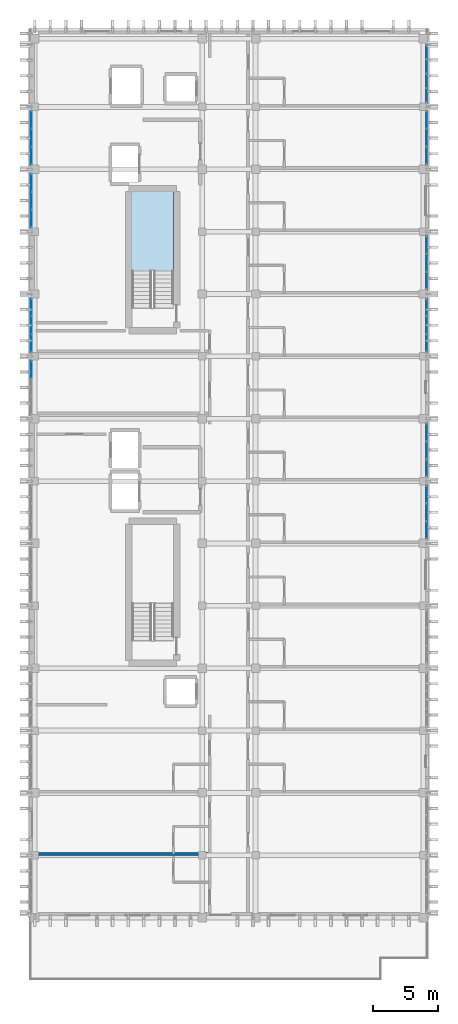
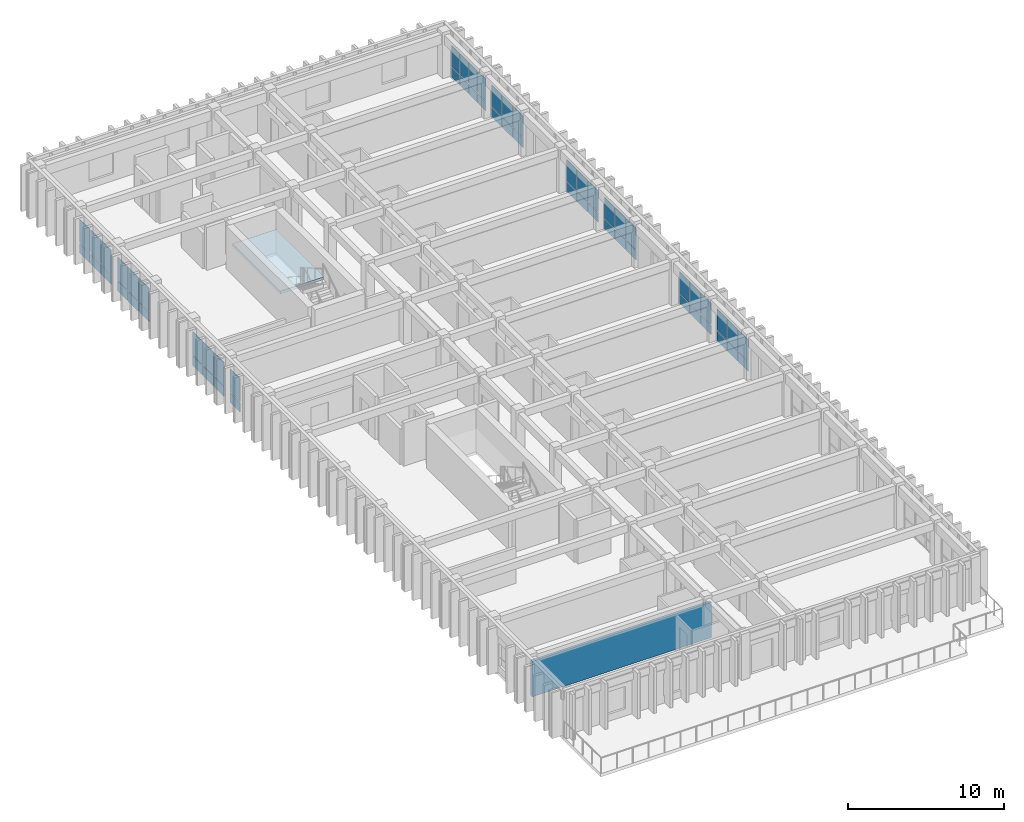
# One storey, part 39 of 49: 58 plates, 1 slab, 1 wall, 11 elements without a shape of their own.
"""IFC4 building model written with IfcOpenShell, lengths in metres."""

from ifc_helpers import new_model, si_unit, direction, frame, frame_2d, origin, origin_2d, place, context, subcontext, project, spatial, polyline, rectangle, outline, extrude, material, layer, layer_set, type_object, element, aggregate, save


model = new_model("IFC4")

# Units and contexts
model_context = context("Model", 3, precision=1e-05, world=origin(), true_north=direction((0.0, 1.0)))
body_context = subcontext(model_context, "Body", "Model", "MODEL_VIEW")
ifc_project = project(units=[si_unit("LENGTHUNIT", "METRE"), si_unit("AREAUNIT", "SQUARE_METRE"), si_unit("VOLUMEUNIT", "CUBIC_METRE"), si_unit("PLANEANGLEUNIT", "RADIAN"), si_unit("MASSUNIT", "GRAM", prefix="KILO")], contexts=[model_context])

# Site, building, storey
site_placement = place(None, origin())
site = spatial("IfcSite", under=ifc_project, at=site_placement, CompositionType="ELEMENT")
building_placement = place(site_placement, origin())
building = spatial("IfcBuilding", under=site, at=building_placement, Name="Nakhvara Creek Congress Hotel", CompositionType="ELEMENT")
storey_placement = place(building_placement, frame((0.0, 0.0, 39.0)))
storey = spatial("IfcBuildingStorey", under=building, at=storey_placement, Name="L09", CompositionType="ELEMENT", Elevation=39.0)

# Curtain wall, plates
ifc_material_1 = material(Name="Bronze-anodised aluminium AW-6063-T6 and double-silver low-E glass", Category="aluminium")
ifc_layer_1 = layer(ifc_material_1, 0.199951171875)
ifc_layer_set_1 = layer_set([ifc_layer_1], Name="Bronze-anodised aluminium AW-6063-T6 and double-silver low-E glass")
curtain_wall_type = type_object("IfcCurtainWallType", Name="CW-HTL-UNIT", PredefinedType="USERDEFINED", material=ifc_layer_set_1)
curtain_wall_1_placement = place(storey_placement, origin())
curtain_wall_1 = element("IfcCurtainWall", 1, at=curtain_wall_1_placement, inside=storey, type_object=curtain_wall_type, Name="Curtain Wall CW303", ObjectType="UNITISED", PredefinedType="USERDEFINED")
ifc_material_2 = material(Name="Double-silver solar-control low-E insulated glass", Category="glass")
plate_type_1 = type_object("IfcPlateType", Name="PNL-GLZ-120X250", PredefinedType="CURTAIN_PANEL", material=ifc_material_2)
plate_1_placement = place(storey_placement, frame((179.60009765625, 90.186279296875, 0.06494140625), z_axis=(0.0, 0.0, 1.0), x_axis=(0.0, -1.0, 0.0)))
plate_1 = element("IfcPlate", 2, at=plate_1_placement, type_object=plate_type_1, Name="CW303 panel 1.1", PredefinedType="CURTAIN_PANEL", context=body_context, shape_type="SweptSolid", body=[
    extrude(rectangle(XDim=1.28759765625, YDim=0.028076171875, at=origin_2d()), origin(), (0.0, 0.0, 1.0), 0.75244140625),
])
plate_2_placement = place(storey_placement, frame((179.60009765625, 90.186279296875, 0.88232421875), z_axis=(0.0, 0.0, 1.0), x_axis=(0.0, -1.0, 0.0)))
plate_2 = element("IfcPlate", 3, at=plate_2_placement, type_object=plate_type_1, Name="CW303 panel 1.2", PredefinedType="CURTAIN_PANEL", context=body_context, shape_type="SweptSolid", body=[
    extrude(rectangle(XDim=1.28759765625, YDim=0.028076171875, at=origin_2d()), origin(), (0.0, 0.0, 1.0), 1.654541015625),
])
plate_3_placement = place(storey_placement, frame((179.60009765625, 88.8173828125, 0.06494140625), z_axis=(0.0, 0.0, 1.0), x_axis=(0.0, -1.0, 0.0)))
plate_3 = element("IfcPlate", 4, at=plate_3_placement, type_object=plate_type_1, Name="CW303 panel 2.1", PredefinedType="CURTAIN_PANEL", context=body_context, shape_type="SweptSolid", body=[
    extrude(rectangle(XDim=1.320068359375, YDim=0.028076171875, at=origin_2d()), origin(), (0.0, 0.0, 1.0), 0.75244140625),
])
plate_4_placement = place(storey_placement, frame((179.60009765625, 88.8173828125, 0.88232421875), z_axis=(0.0, 0.0, 1.0), x_axis=(0.0, -1.0, 0.0)))
plate_4 = element("IfcPlate", 5, at=plate_4_placement, type_object=plate_type_1, Name="CW303 panel 2.2", PredefinedType="CURTAIN_PANEL", context=body_context, shape_type="SweptSolid", body=[
    extrude(rectangle(XDim=1.320068359375, YDim=0.028076171875, at=origin_2d()), origin(), (0.0, 0.0, 1.0), 1.654541015625),
])
plate_5_placement = place(storey_placement, frame((179.60009765625, 87.44873046875, 0.06494140625), z_axis=(0.0, 0.0, 1.0), x_axis=(0.0, -1.0, 0.0)))
plate_5 = element("IfcPlate", 6, at=plate_5_placement, type_object=plate_type_1, Name="CW303 panel 3.1", PredefinedType="CURTAIN_PANEL", context=body_context, shape_type="SweptSolid", body=[
    extrude(rectangle(XDim=1.28759765625, YDim=0.028076171875, at=origin_2d()), origin(), (0.0, 0.0, 1.0), 0.75244140625),
])
plate_6_placement = place(storey_placement, frame((179.60009765625, 87.44873046875, 0.88232421875), z_axis=(0.0, 0.0, 1.0), x_axis=(0.0, -1.0, 0.0)))
plate_6 = element("IfcPlate", 7, at=plate_6_placement, type_object=plate_type_1, Name="CW303 panel 3.2", PredefinedType="CURTAIN_PANEL", context=body_context, shape_type="SweptSolid", body=[
    extrude(rectangle(XDim=1.28759765625, YDim=0.028076171875, at=origin_2d()), origin(), (0.0, 0.0, 1.0), 1.654541015625),
])
aggregate(curtain_wall_1, [plate_1, plate_2, plate_3, plate_4, plate_5, plate_6])

curtain_wall_2_placement = place(storey_placement, origin())
curtain_wall_2 = element("IfcCurtainWall", 8, at=curtain_wall_2_placement, inside=storey, type_object=curtain_wall_type, Name="Curtain Wall CW305", ObjectType="UNITISED", PredefinedType="USERDEFINED")
plate_7_placement = place(storey_placement, frame((179.60009765625, 94.951171875, 0.06494140625), z_axis=(0.0, 0.0, 1.0), x_axis=(0.0, -1.0, 0.0)))
plate_7 = element("IfcPlate", 9, at=plate_7_placement, type_object=plate_type_1, Name="CW305 panel 1.1", PredefinedType="CURTAIN_PANEL", context=body_context, shape_type="SweptSolid", body=[
    extrude(rectangle(XDim=1.28759765625, YDim=0.028076171875, at=origin_2d()), origin(), (0.0, 0.0, 1.0), 0.75244140625),
])
plate_8_placement = place(storey_placement, frame((179.60009765625, 94.951171875, 0.88232421875), z_axis=(0.0, 0.0, 1.0), x_axis=(0.0, -1.0, 0.0)))
plate_8 = element("IfcPlate", 10, at=plate_8_placement, type_object=plate_type_1, Name="CW305 panel 1.2", PredefinedType="CURTAIN_PANEL", context=body_context, shape_type="SweptSolid", body=[
    extrude(rectangle(XDim=1.28759765625, YDim=0.028076171875, at=origin_2d()), origin(), (0.0, 0.0, 1.0), 1.654541015625),
])
plate_9_placement = place(storey_placement, frame((179.60009765625, 93.58251953125, 0.06494140625), z_axis=(0.0, 0.0, 1.0), x_axis=(0.0, -1.0, 0.0)))
plate_9 = element("IfcPlate", 11, at=plate_9_placement, type_object=plate_type_1, Name="CW305 panel 2.1", PredefinedType="CURTAIN_PANEL", context=body_context, shape_type="SweptSolid", body=[
    extrude(rectangle(XDim=1.320068359375, YDim=0.028076171875, at=origin_2d()), origin(), (0.0, 0.0, 1.0), 0.75244140625),
])
plate_10_placement = place(storey_placement, frame((179.60009765625, 93.58251953125, 0.88232421875), z_axis=(0.0, 0.0, 1.0), x_axis=(0.0, -1.0, 0.0)))
plate_10 = element("IfcPlate", 12, at=plate_10_placement, type_object=plate_type_1, Name="CW305 panel 2.2", PredefinedType="CURTAIN_PANEL", context=body_context, shape_type="SweptSolid", body=[
    extrude(rectangle(XDim=1.320068359375, YDim=0.028076171875, at=origin_2d()), origin(), (0.0, 0.0, 1.0), 1.654541015625),
])
plate_11_placement = place(storey_placement, frame((179.60009765625, 92.2138671875, 0.06494140625), z_axis=(0.0, 0.0, 1.0), x_axis=(0.0, -1.0, 0.0)))
plate_11 = element("IfcPlate", 13, at=plate_11_placement, type_object=plate_type_1, Name="CW305 panel 3.1", PredefinedType="CURTAIN_PANEL", context=body_context, shape_type="SweptSolid", body=[
    extrude(rectangle(XDim=1.28759765625, YDim=0.028076171875, at=origin_2d()), origin(), (0.0, 0.0, 1.0), 0.75244140625),
])
plate_12_placement = place(storey_placement, frame((179.60009765625, 92.2138671875, 0.88232421875), z_axis=(0.0, 0.0, 1.0), x_axis=(0.0, -1.0, 0.0)))
plate_12 = element("IfcPlate", 14, at=plate_12_placement, type_object=plate_type_1, Name="CW305 panel 3.2", PredefinedType="CURTAIN_PANEL", context=body_context, shape_type="SweptSolid", body=[
    extrude(rectangle(XDim=1.28759765625, YDim=0.028076171875, at=origin_2d()), origin(), (0.0, 0.0, 1.0), 1.654541015625),
])
aggregate(curtain_wall_2, [plate_7, plate_8, plate_9, plate_10, plate_11, plate_12])

curtain_wall_3_placement = place(storey_placement, origin())
curtain_wall_3 = element("IfcCurtainWall", 15, at=curtain_wall_3_placement, inside=storey, type_object=curtain_wall_type, Name="Curtain Wall CW306", ObjectType="UNITISED", PredefinedType="USERDEFINED")
plate_13_placement = place(storey_placement, frame((149.199951171875, 99.7861328125, 0.06494140625), z_axis=(0.0, 0.0, 1.0), x_axis=(0.0, 1.0, 0.0)))
plate_13 = element("IfcPlate", 16, at=plate_13_placement, type_object=plate_type_1, Name="CW306 panel 3.1", PredefinedType="CURTAIN_PANEL", context=body_context, shape_type="SweptSolid", body=[
    extrude(rectangle(XDim=1.28759765625, YDim=0.028076171875, at=origin_2d()), origin(), (0.0, 0.0, 1.0), 0.75244140625),
])
plate_14_placement = place(storey_placement, frame((149.199951171875, 99.7861328125, 0.88232421875), z_axis=(0.0, 0.0, 1.0), x_axis=(0.0, 1.0, 0.0)))
plate_14 = element("IfcPlate", 17, at=plate_14_placement, type_object=plate_type_1, Name="CW306 panel 3.2", PredefinedType="CURTAIN_PANEL", context=body_context, shape_type="SweptSolid", body=[
    extrude(rectangle(XDim=1.28759765625, YDim=0.028076171875, at=origin_2d()), origin(), (0.0, 0.0, 1.0), 1.824462890625),
])
aggregate(curtain_wall_3, [plate_13, plate_14])

curtain_wall_4_placement = place(storey_placement, origin())
curtain_wall_4 = element("IfcCurtainWall", 18, at=curtain_wall_4_placement, inside=storey, type_object=curtain_wall_type, Name="Curtain Wall CW309", ObjectType="UNITISED", PredefinedType="USERDEFINED")
plate_15_placement = place(storey_placement, frame((179.60009765625, 109.38623046875, 0.06494140625), z_axis=(0.0, 0.0, 1.0), x_axis=(0.0, -1.0, 0.0)))
plate_15 = element("IfcPlate", 19, at=plate_15_placement, type_object=plate_type_1, Name="CW309 panel 1.1", PredefinedType="CURTAIN_PANEL", context=body_context, shape_type="SweptSolid", body=[
    extrude(rectangle(XDim=1.28759765625, YDim=0.028076171875, at=origin_2d()), origin(), (0.0, 0.0, 1.0), 0.75244140625),
])
plate_16_placement = place(storey_placement, frame((179.60009765625, 109.38623046875, 0.88232421875), z_axis=(0.0, 0.0, 1.0), x_axis=(0.0, -1.0, 0.0)))
plate_16 = element("IfcPlate", 20, at=plate_16_placement, type_object=plate_type_1, Name="CW309 panel 1.2", PredefinedType="CURTAIN_PANEL", context=body_context, shape_type="SweptSolid", body=[
    extrude(rectangle(XDim=1.28759765625, YDim=0.028076171875, at=origin_2d()), origin(), (0.0, 0.0, 1.0), 1.654541015625),
])
plate_17_placement = place(storey_placement, frame((179.60009765625, 108.017578125, 0.06494140625), z_axis=(0.0, 0.0, 1.0), x_axis=(0.0, -1.0, 0.0)))
plate_17 = element("IfcPlate", 21, at=plate_17_placement, type_object=plate_type_1, Name="CW309 panel 2.1", PredefinedType="CURTAIN_PANEL", context=body_context, shape_type="SweptSolid", body=[
    extrude(rectangle(XDim=1.320068359375, YDim=0.028076171875, at=origin_2d()), origin(), (0.0, 0.0, 1.0), 0.75244140625),
])
plate_18_placement = place(storey_placement, frame((179.60009765625, 108.017578125, 0.88232421875), z_axis=(0.0, 0.0, 1.0), x_axis=(0.0, -1.0, 0.0)))
plate_18 = element("IfcPlate", 22, at=plate_18_placement, type_object=plate_type_1, Name="CW309 panel 2.2", PredefinedType="CURTAIN_PANEL", context=body_context, shape_type="SweptSolid", body=[
    extrude(rectangle(XDim=1.320068359375, YDim=0.028076171875, at=origin_2d()), origin(), (0.0, 0.0, 1.0), 1.654541015625),
])
plate_19_placement = place(storey_placement, frame((179.60009765625, 106.648681640625, 0.06494140625), z_axis=(0.0, 0.0, 1.0), x_axis=(0.0, -1.0, 0.0)))
plate_19 = element("IfcPlate", 23, at=plate_19_placement, type_object=plate_type_1, Name="CW309 panel 3.1", PredefinedType="CURTAIN_PANEL", context=body_context, shape_type="SweptSolid", body=[
    extrude(rectangle(XDim=1.28759765625, YDim=0.028076171875, at=origin_2d()), origin(), (0.0, 0.0, 1.0), 0.75244140625),
])
plate_20_placement = place(storey_placement, frame((179.60009765625, 106.648681640625, 0.88232421875), z_axis=(0.0, 0.0, 1.0), x_axis=(0.0, -1.0, 0.0)))
plate_20 = element("IfcPlate", 24, at=plate_20_placement, type_object=plate_type_1, Name="CW309 panel 3.2", PredefinedType="CURTAIN_PANEL", context=body_context, shape_type="SweptSolid", body=[
    extrude(rectangle(XDim=1.28759765625, YDim=0.028076171875, at=origin_2d()), origin(), (0.0, 0.0, 1.0), 1.654541015625),
])
aggregate(curtain_wall_4, [plate_15, plate_16, plate_17, plate_18, plate_19, plate_20])

curtain_wall_5_placement = place(storey_placement, origin())
curtain_wall_5 = element("IfcCurtainWall", 25, at=curtain_wall_5_placement, inside=storey, type_object=curtain_wall_type, Name="Curtain Wall CW310", ObjectType="UNITISED", PredefinedType="USERDEFINED")
plate_21_placement = place(storey_placement, frame((149.199951171875, 111.413818359375, 0.06494140625), z_axis=(0.0, 0.0, 1.0), x_axis=(0.0, 1.0, 0.0)))
plate_21 = element("IfcPlate", 26, at=plate_21_placement, type_object=plate_type_1, Name="CW310 panel 1.1", PredefinedType="CURTAIN_PANEL", context=body_context, shape_type="SweptSolid", body=[
    extrude(rectangle(XDim=1.28759765625, YDim=0.028076171875, at=origin_2d()), origin(), (0.0, 0.0, 1.0), 0.75244140625),
])
plate_22_placement = place(storey_placement, frame((149.199951171875, 111.413818359375, 0.88232421875), z_axis=(0.0, 0.0, 1.0), x_axis=(0.0, 1.0, 0.0)))
plate_22 = element("IfcPlate", 27, at=plate_22_placement, type_object=plate_type_1, Name="CW310 panel 1.2", PredefinedType="CURTAIN_PANEL", context=body_context, shape_type="SweptSolid", body=[
    extrude(rectangle(XDim=1.28759765625, YDim=0.028076171875, at=origin_2d()), origin(), (0.0, 0.0, 1.0), 1.824462890625),
])
plate_23_placement = place(storey_placement, frame((149.199951171875, 112.782470703125, 0.06494140625), z_axis=(0.0, 0.0, 1.0), x_axis=(0.0, 1.0, 0.0)))
plate_23 = element("IfcPlate", 28, at=plate_23_placement, type_object=plate_type_1, Name="CW310 panel 2.1", PredefinedType="CURTAIN_PANEL", context=body_context, shape_type="SweptSolid", body=[
    extrude(rectangle(XDim=1.320068359375, YDim=0.028076171875, at=origin_2d()), origin(), (0.0, 0.0, 1.0), 0.75244140625),
])
plate_24_placement = place(storey_placement, frame((149.199951171875, 112.782470703125, 0.88232421875), z_axis=(0.0, 0.0, 1.0), x_axis=(0.0, 1.0, 0.0)))
plate_24 = element("IfcPlate", 29, at=plate_24_placement, type_object=plate_type_1, Name="CW310 panel 2.2", PredefinedType="CURTAIN_PANEL", context=body_context, shape_type="SweptSolid", body=[
    extrude(rectangle(XDim=1.320068359375, YDim=0.028076171875, at=origin_2d()), origin(), (0.0, 0.0, 1.0), 1.824462890625),
])
plate_25_placement = place(storey_placement, frame((149.199951171875, 114.1513671875, 0.06494140625), z_axis=(0.0, 0.0, 1.0), x_axis=(0.0, 1.0, 0.0)))
plate_25 = element("IfcPlate", 30, at=plate_25_placement, type_object=plate_type_1, Name="CW310 panel 3.1", PredefinedType="CURTAIN_PANEL", context=body_context, shape_type="SweptSolid", body=[
    extrude(rectangle(XDim=1.28759765625, YDim=0.028076171875, at=origin_2d()), origin(), (0.0, 0.0, 1.0), 0.75244140625),
])
plate_26_placement = place(storey_placement, frame((149.199951171875, 114.1513671875, 0.88232421875), z_axis=(0.0, 0.0, 1.0), x_axis=(0.0, 1.0, 0.0)))
plate_26 = element("IfcPlate", 31, at=plate_26_placement, type_object=plate_type_1, Name="CW310 panel 3.2", PredefinedType="CURTAIN_PANEL", context=body_context, shape_type="SweptSolid", body=[
    extrude(rectangle(XDim=1.28759765625, YDim=0.028076171875, at=origin_2d()), origin(), (0.0, 0.0, 1.0), 1.824462890625),
])
aggregate(curtain_wall_5, [plate_21, plate_22, plate_23, plate_24, plate_25, plate_26])

curtain_wall_6_placement = place(storey_placement, origin())
curtain_wall_6 = element("IfcCurtainWall", 32, at=curtain_wall_6_placement, inside=storey, type_object=curtain_wall_type, Name="Curtain Wall CW311", ObjectType="UNITISED", PredefinedType="USERDEFINED")
plate_27_placement = place(storey_placement, frame((179.60009765625, 118.986328125, 0.06494140625), z_axis=(0.0, 0.0, 1.0), x_axis=(0.0, -1.0, 0.0)))
plate_27 = element("IfcPlate", 33, at=plate_27_placement, type_object=plate_type_1, Name="CW311 panel 1.1", PredefinedType="CURTAIN_PANEL", context=body_context, shape_type="SweptSolid", body=[
    extrude(rectangle(XDim=1.28759765625, YDim=0.028076171875, at=origin_2d()), origin(), (0.0, 0.0, 1.0), 0.75244140625),
])
plate_28_placement = place(storey_placement, frame((179.60009765625, 118.986328125, 0.88232421875), z_axis=(0.0, 0.0, 1.0), x_axis=(0.0, -1.0, 0.0)))
plate_28 = element("IfcPlate", 34, at=plate_28_placement, type_object=plate_type_1, Name="CW311 panel 1.2", PredefinedType="CURTAIN_PANEL", context=body_context, shape_type="SweptSolid", body=[
    extrude(rectangle(XDim=1.28759765625, YDim=0.028076171875, at=origin_2d()), origin(), (0.0, 0.0, 1.0), 1.654541015625),
])
plate_29_placement = place(storey_placement, frame((179.60009765625, 117.617431640625, 0.06494140625), z_axis=(0.0, 0.0, 1.0), x_axis=(0.0, -1.0, 0.0)))
plate_29 = element("IfcPlate", 35, at=plate_29_placement, type_object=plate_type_1, Name="CW311 panel 2.1", PredefinedType="CURTAIN_PANEL", context=body_context, shape_type="SweptSolid", body=[
    extrude(rectangle(XDim=1.320068359375, YDim=0.028076171875, at=origin_2d()), origin(), (0.0, 0.0, 1.0), 0.75244140625),
])
plate_30_placement = place(storey_placement, frame((179.60009765625, 117.617431640625, 0.88232421875), z_axis=(0.0, 0.0, 1.0), x_axis=(0.0, -1.0, 0.0)))
plate_30 = element("IfcPlate", 36, at=plate_30_placement, type_object=plate_type_1, Name="CW311 panel 2.2", PredefinedType="CURTAIN_PANEL", context=body_context, shape_type="SweptSolid", body=[
    extrude(rectangle(XDim=1.320068359375, YDim=0.028076171875, at=origin_2d()), origin(), (0.0, 0.0, 1.0), 1.654541015625),
])
plate_31_placement = place(storey_placement, frame((179.60009765625, 116.248779296875, 0.06494140625), z_axis=(0.0, 0.0, 1.0), x_axis=(0.0, -1.0, 0.0)))
plate_31 = element("IfcPlate", 37, at=plate_31_placement, type_object=plate_type_1, Name="CW311 panel 3.1", PredefinedType="CURTAIN_PANEL", context=body_context, shape_type="SweptSolid", body=[
    extrude(rectangle(XDim=1.28759765625, YDim=0.028076171875, at=origin_2d()), origin(), (0.0, 0.0, 1.0), 0.75244140625),
])
plate_32_placement = place(storey_placement, frame((179.60009765625, 116.248779296875, 0.88232421875), z_axis=(0.0, 0.0, 1.0), x_axis=(0.0, -1.0, 0.0)))
plate_32 = element("IfcPlate", 38, at=plate_32_placement, type_object=plate_type_1, Name="CW311 panel 3.2", PredefinedType="CURTAIN_PANEL", context=body_context, shape_type="SweptSolid", body=[
    extrude(rectangle(XDim=1.28759765625, YDim=0.028076171875, at=origin_2d()), origin(), (0.0, 0.0, 1.0), 1.654541015625),
])
aggregate(curtain_wall_6, [plate_27, plate_28, plate_29, plate_30, plate_31, plate_32])

curtain_wall_7_placement = place(storey_placement, origin())
curtain_wall_7 = element("IfcCurtainWall", 39, at=curtain_wall_7_placement, inside=storey, type_object=curtain_wall_type, Name="Curtain Wall CW312", ObjectType="UNITISED", PredefinedType="USERDEFINED")
plate_33_placement = place(storey_placement, frame((149.199951171875, 116.248779296875, 0.06494140625), z_axis=(0.0, 0.0, 1.0), x_axis=(0.0, 1.0, 0.0)))
plate_33 = element("IfcPlate", 40, at=plate_33_placement, type_object=plate_type_1, Name="CW312 panel 1.1", PredefinedType="CURTAIN_PANEL", context=body_context, shape_type="SweptSolid", body=[
    extrude(rectangle(XDim=1.28759765625, YDim=0.028076171875, at=origin_2d()), origin(), (0.0, 0.0, 1.0), 0.75244140625),
])
plate_34_placement = place(storey_placement, frame((149.199951171875, 116.248779296875, 0.88232421875), z_axis=(0.0, 0.0, 1.0), x_axis=(0.0, 1.0, 0.0)))
plate_34 = element("IfcPlate", 41, at=plate_34_placement, type_object=plate_type_1, Name="CW312 panel 1.2", PredefinedType="CURTAIN_PANEL", context=body_context, shape_type="SweptSolid", body=[
    extrude(rectangle(XDim=1.28759765625, YDim=0.028076171875, at=origin_2d()), origin(), (0.0, 0.0, 1.0), 1.824462890625),
])
plate_35_placement = place(storey_placement, frame((149.199951171875, 117.617431640625, 0.06494140625), z_axis=(0.0, 0.0, 1.0), x_axis=(0.0, 1.0, 0.0)))
plate_35 = element("IfcPlate", 42, at=plate_35_placement, type_object=plate_type_1, Name="CW312 panel 2.1", PredefinedType="CURTAIN_PANEL", context=body_context, shape_type="SweptSolid", body=[
    extrude(rectangle(XDim=1.320068359375, YDim=0.028076171875, at=origin_2d()), origin(), (0.0, 0.0, 1.0), 0.75244140625),
])
plate_36_placement = place(storey_placement, frame((149.199951171875, 117.617431640625, 0.88232421875), z_axis=(0.0, 0.0, 1.0), x_axis=(0.0, 1.0, 0.0)))
plate_36 = element("IfcPlate", 43, at=plate_36_placement, type_object=plate_type_1, Name="CW312 panel 2.2", PredefinedType="CURTAIN_PANEL", context=body_context, shape_type="SweptSolid", body=[
    extrude(rectangle(XDim=1.320068359375, YDim=0.028076171875, at=origin_2d()), origin(), (0.0, 0.0, 1.0), 1.824462890625),
])
plate_37_placement = place(storey_placement, frame((149.199951171875, 118.986328125, 0.06494140625), z_axis=(0.0, 0.0, 1.0), x_axis=(0.0, 1.0, 0.0)))
plate_37 = element("IfcPlate", 44, at=plate_37_placement, type_object=plate_type_1, Name="CW312 panel 3.1", PredefinedType="CURTAIN_PANEL", context=body_context, shape_type="SweptSolid", body=[
    extrude(rectangle(XDim=1.28759765625, YDim=0.028076171875, at=origin_2d()), origin(), (0.0, 0.0, 1.0), 0.75244140625),
])
plate_38_placement = place(storey_placement, frame((149.199951171875, 118.986328125, 0.88232421875), z_axis=(0.0, 0.0, 1.0), x_axis=(0.0, 1.0, 0.0)))
plate_38 = element("IfcPlate", 45, at=plate_38_placement, type_object=plate_type_1, Name="CW312 panel 3.2", PredefinedType="CURTAIN_PANEL", context=body_context, shape_type="SweptSolid", body=[
    extrude(rectangle(XDim=1.28759765625, YDim=0.028076171875, at=origin_2d()), origin(), (0.0, 0.0, 1.0), 1.824462890625),
])
aggregate(curtain_wall_7, [plate_33, plate_34, plate_35, plate_36, plate_37, plate_38])

curtain_wall_8_placement = place(storey_placement, origin())
curtain_wall_8 = element("IfcCurtainWall", 46, at=curtain_wall_8_placement, inside=storey, type_object=curtain_wall_type, Name="Curtain Wall CW313", ObjectType="UNITISED", PredefinedType="USERDEFINED")
plate_39_placement = place(storey_placement, frame((179.60009765625, 124.221923828125, 0.06494140625), z_axis=(0.0, 0.0, 1.0), x_axis=(0.0, -1.0, 0.0)))
plate_39 = element("IfcPlate", 47, at=plate_39_placement, type_object=plate_type_1, Name="CW313 panel 1.1", PredefinedType="CURTAIN_PANEL", context=body_context, shape_type="SweptSolid", body=[
    extrude(rectangle(XDim=1.0263671875, YDim=0.028076171875, at=origin_2d()), origin(), (0.0, 0.0, 1.0), 0.75244140625),
])
plate_40_placement = place(storey_placement, frame((179.60009765625, 124.221923828125, 0.88232421875), z_axis=(0.0, 0.0, 1.0), x_axis=(0.0, -1.0, 0.0)))
plate_40 = element("IfcPlate", 48, at=plate_40_placement, type_object=plate_type_1, Name="CW313 panel 1.2", PredefinedType="CURTAIN_PANEL", context=body_context, shape_type="SweptSolid", body=[
    extrude(rectangle(XDim=1.0263671875, YDim=0.028076171875, at=origin_2d()), origin(), (0.0, 0.0, 1.0), 1.654541015625),
])
plate_41_placement = place(storey_placement, frame((179.60009765625, 123.1142578125, 0.06494140625), z_axis=(0.0, 0.0, 1.0), x_axis=(0.0, -1.0, 0.0)))
plate_41 = element("IfcPlate", 49, at=plate_41_placement, type_object=plate_type_1, Name="CW313 panel 2.1", PredefinedType="CURTAIN_PANEL", context=body_context, shape_type="SweptSolid", body=[
    extrude(rectangle(XDim=1.058837890625, YDim=0.028076171875, at=origin_2d()), origin(), (0.0, 0.0, 1.0), 0.75244140625),
])
plate_42_placement = place(storey_placement, frame((179.60009765625, 123.1142578125, 0.88232421875), z_axis=(0.0, 0.0, 1.0), x_axis=(0.0, -1.0, 0.0)))
plate_42 = element("IfcPlate", 50, at=plate_42_placement, type_object=plate_type_1, Name="CW313 panel 2.2", PredefinedType="CURTAIN_PANEL", context=body_context, shape_type="SweptSolid", body=[
    extrude(rectangle(XDim=1.058837890625, YDim=0.028076171875, at=origin_2d()), origin(), (0.0, 0.0, 1.0), 1.654541015625),
])
plate_43_placement = place(storey_placement, frame((179.60009765625, 121.99072265625, 0.06494140625), z_axis=(0.0, 0.0, 1.0), x_axis=(0.0, -1.0, 0.0)))
plate_43 = element("IfcPlate", 51, at=plate_43_placement, type_object=plate_type_1, Name="CW313 panel 3.1", PredefinedType="CURTAIN_PANEL", context=body_context, shape_type="SweptSolid", body=[
    extrude(rectangle(XDim=1.058837890625, YDim=0.028076171875, at=origin_2d()), origin(), (0.0, 0.0, 1.0), 0.75244140625),
])
plate_44_placement = place(storey_placement, frame((179.60009765625, 121.99072265625, 0.88232421875), z_axis=(0.0, 0.0, 1.0), x_axis=(0.0, -1.0, 0.0)))
plate_44 = element("IfcPlate", 52, at=plate_44_placement, type_object=plate_type_1, Name="CW313 panel 3.2", PredefinedType="CURTAIN_PANEL", context=body_context, shape_type="SweptSolid", body=[
    extrude(rectangle(XDim=1.058837890625, YDim=0.028076171875, at=origin_2d()), origin(), (0.0, 0.0, 1.0), 1.654541015625),
])
plate_45_placement = place(storey_placement, frame((179.60009765625, 120.883056640625, 0.06494140625), z_axis=(0.0, 0.0, 1.0), x_axis=(0.0, -1.0, 0.0)))
plate_45 = element("IfcPlate", 53, at=plate_45_placement, type_object=plate_type_1, Name="CW313 panel 4.1", PredefinedType="CURTAIN_PANEL", context=body_context, shape_type="SweptSolid", body=[
    extrude(rectangle(XDim=1.0263671875, YDim=0.028076171875, at=origin_2d()), origin(), (0.0, 0.0, 1.0), 0.75244140625),
])
plate_46_placement = place(storey_placement, frame((179.60009765625, 120.883056640625, 0.88232421875), z_axis=(0.0, 0.0, 1.0), x_axis=(0.0, -1.0, 0.0)))
plate_46 = element("IfcPlate", 54, at=plate_46_placement, type_object=plate_type_1, Name="CW313 panel 4.2", PredefinedType="CURTAIN_PANEL", context=body_context, shape_type="SweptSolid", body=[
    extrude(rectangle(XDim=1.0263671875, YDim=0.028076171875, at=origin_2d()), origin(), (0.0, 0.0, 1.0), 1.654541015625),
])
aggregate(curtain_wall_8, [plate_39, plate_40, plate_41, plate_42, plate_43, plate_44, plate_45, plate_46])

curtain_wall_9_placement = place(storey_placement, origin())
curtain_wall_9 = element("IfcCurtainWall", 55, at=curtain_wall_9_placement, inside=storey, type_object=curtain_wall_type, Name="Curtain Wall CW307", ObjectType="UNITISED", PredefinedType="USERDEFINED")
ifc_material_3 = material(Name="Back-insulated bronze spandrel glass panel", Category="glass")
plate_type_2 = type_object("IfcPlateType", Name="PNL-SPN-120X080", PredefinedType="CURTAIN_PANEL", material=ifc_material_3)
plate_47_placement = place(storey_placement, frame((179.60009765625, 104.55126953125, 0.06494140625), z_axis=(0.0, 0.0, 1.0), x_axis=(0.0, -1.0, 0.0)))
plate_47 = element("IfcPlate", 56, at=plate_47_placement, type_object=plate_type_2, Name="CW307 panel 1.1", PredefinedType="CURTAIN_PANEL", context=body_context, shape_type="SweptSolid", body=[
    extrude(rectangle(XDim=1.28759765625, YDim=0.0419921875, at=origin_2d()), origin(), (0.0, 0.0, 1.0), 0.75244140625),
])
plate_48_placement = place(storey_placement, frame((179.60009765625, 104.55126953125, 0.88232421875), z_axis=(0.0, 0.0, 1.0), x_axis=(0.0, -1.0, 0.0)))
plate_48 = element("IfcPlate", 57, at=plate_48_placement, type_object=plate_type_2, Name="CW307 panel 1.2", PredefinedType="CURTAIN_PANEL", context=body_context, shape_type="SweptSolid", body=[
    extrude(rectangle(XDim=1.28759765625, YDim=0.0419921875, at=origin_2d()), origin(), (0.0, 0.0, 1.0), 1.654541015625),
])
plate_49_placement = place(storey_placement, frame((179.60009765625, 103.1826171875, 0.06494140625), z_axis=(0.0, 0.0, 1.0), x_axis=(0.0, -1.0, 0.0)))
plate_49 = element("IfcPlate", 58, at=plate_49_placement, type_object=plate_type_2, Name="CW307 panel 2.1", PredefinedType="CURTAIN_PANEL", context=body_context, shape_type="SweptSolid", body=[
    extrude(rectangle(XDim=1.320068359375, YDim=0.0419921875, at=origin_2d()), origin(), (0.0, 0.0, 1.0), 0.75244140625),
])
plate_50_placement = place(storey_placement, frame((179.60009765625, 103.1826171875, 0.88232421875), z_axis=(0.0, 0.0, 1.0), x_axis=(0.0, -1.0, 0.0)))
plate_50 = element("IfcPlate", 59, at=plate_50_placement, type_object=plate_type_2, Name="CW307 panel 2.2", PredefinedType="CURTAIN_PANEL", context=body_context, shape_type="SweptSolid", body=[
    extrude(rectangle(XDim=1.320068359375, YDim=0.0419921875, at=origin_2d()), origin(), (0.0, 0.0, 1.0), 1.654541015625),
])
plate_51_placement = place(storey_placement, frame((179.60009765625, 101.813720703125, 0.06494140625), z_axis=(0.0, 0.0, 1.0), x_axis=(0.0, -1.0, 0.0)))
plate_51 = element("IfcPlate", 60, at=plate_51_placement, type_object=plate_type_2, Name="CW307 panel 3.1", PredefinedType="CURTAIN_PANEL", context=body_context, shape_type="SweptSolid", body=[
    extrude(rectangle(XDim=1.28759765625, YDim=0.0419921875, at=origin_2d()), origin(), (0.0, 0.0, 1.0), 0.75244140625),
])
plate_52_placement = place(storey_placement, frame((179.60009765625, 101.813720703125, 0.88232421875), z_axis=(0.0, 0.0, 1.0), x_axis=(0.0, -1.0, 0.0)))
plate_52 = element("IfcPlate", 61, at=plate_52_placement, type_object=plate_type_2, Name="CW307 panel 3.2", PredefinedType="CURTAIN_PANEL", context=body_context, shape_type="SweptSolid", body=[
    extrude(rectangle(XDim=1.28759765625, YDim=0.0419921875, at=origin_2d()), origin(), (0.0, 0.0, 1.0), 1.654541015625),
])
aggregate(curtain_wall_9, [plate_47, plate_48, plate_49, plate_50, plate_51, plate_52])

curtain_wall_10_placement = place(storey_placement, origin())
curtain_wall_10 = element("IfcCurtainWall", 62, at=curtain_wall_10_placement, inside=storey, type_object=curtain_wall_type, Name="Curtain Wall CW308", ObjectType="UNITISED", PredefinedType="USERDEFINED")
plate_53_placement = place(storey_placement, frame((149.199951171875, 101.813720703125, 0.06494140625), z_axis=(0.0, 0.0, 1.0), x_axis=(0.0, 1.0, 0.0)))
plate_53 = element("IfcPlate", 63, at=plate_53_placement, type_object=plate_type_2, Name="CW308 panel 1.1", PredefinedType="CURTAIN_PANEL", context=body_context, shape_type="SweptSolid", body=[
    extrude(rectangle(XDim=1.28759765625, YDim=0.0419921875, at=origin_2d()), origin(), (0.0, 0.0, 1.0), 0.75244140625),
])
plate_54_placement = place(storey_placement, frame((149.199951171875, 101.813720703125, 0.88232421875), z_axis=(0.0, 0.0, 1.0), x_axis=(0.0, 1.0, 0.0)))
plate_54 = element("IfcPlate", 64, at=plate_54_placement, type_object=plate_type_2, Name="CW308 panel 1.2", PredefinedType="CURTAIN_PANEL", context=body_context, shape_type="SweptSolid", body=[
    extrude(rectangle(XDim=1.28759765625, YDim=0.0419921875, at=origin_2d()), origin(), (0.0, 0.0, 1.0), 1.824462890625),
])
plate_55_placement = place(storey_placement, frame((149.199951171875, 103.1826171875, 0.06494140625), z_axis=(0.0, 0.0, 1.0), x_axis=(0.0, 1.0, 0.0)))
plate_55 = element("IfcPlate", 65, at=plate_55_placement, type_object=plate_type_2, Name="CW308 panel 2.1", PredefinedType="CURTAIN_PANEL", context=body_context, shape_type="SweptSolid", body=[
    extrude(rectangle(XDim=1.320068359375, YDim=0.0419921875, at=origin_2d()), origin(), (0.0, 0.0, 1.0), 0.75244140625),
])
plate_56_placement = place(storey_placement, frame((149.199951171875, 103.1826171875, 0.88232421875), z_axis=(0.0, 0.0, 1.0), x_axis=(0.0, 1.0, 0.0)))
plate_56 = element("IfcPlate", 66, at=plate_56_placement, type_object=plate_type_2, Name="CW308 panel 2.2", PredefinedType="CURTAIN_PANEL", context=body_context, shape_type="SweptSolid", body=[
    extrude(rectangle(XDim=1.320068359375, YDim=0.0419921875, at=origin_2d()), origin(), (0.0, 0.0, 1.0), 1.824462890625),
])
plate_57_placement = place(storey_placement, frame((149.199951171875, 104.55126953125, 0.06494140625), z_axis=(0.0, 0.0, 1.0), x_axis=(0.0, 1.0, 0.0)))
plate_57 = element("IfcPlate", 67, at=plate_57_placement, type_object=plate_type_2, Name="CW308 panel 3.1", PredefinedType="CURTAIN_PANEL", context=body_context, shape_type="SweptSolid", body=[
    extrude(rectangle(XDim=1.28759765625, YDim=0.0419921875, at=origin_2d()), origin(), (0.0, 0.0, 1.0), 0.75244140625),
])
plate_58_placement = place(storey_placement, frame((149.199951171875, 104.55126953125, 0.88232421875), z_axis=(0.0, 0.0, 1.0), x_axis=(0.0, 1.0, 0.0)))
plate_58 = element("IfcPlate", 68, at=plate_58_placement, type_object=plate_type_2, Name="CW308 panel 3.2", PredefinedType="CURTAIN_PANEL", context=body_context, shape_type="SweptSolid", body=[
    extrude(rectangle(XDim=1.28759765625, YDim=0.0419921875, at=origin_2d()), origin(), (0.0, 0.0, 1.0), 1.824462890625),
])
aggregate(curtain_wall_10, [plate_53, plate_54, plate_55, plate_56, plate_57, plate_58])

# Stair, slab
ifc_material_4 = material(Name="Concrete C40/50", Category="concrete")
stair_type = type_object("IfcStairType", Name="ST-CORE-160", PredefinedType="HALF_TURN_STAIR", material=ifc_material_4)
stair_placement = place(storey_placement, origin())
stair = element("IfcStair", 69, at=stair_placement, inside=storey, type_object=stair_type, Name="L09 Protected Exit Stair ST02", PredefinedType="HALF_TURN_STAIR")
ifc_layer_2 = layer(ifc_material_4, 0.199951171875)
ifc_layer_set_2 = layer_set([ifc_layer_2], Name="Concrete C40/50")
slab_type = type_object("IfcSlabType", Name="SL-LAND-200", PredefinedType="LANDING", material=ifc_layer_set_2)
slab_placement = place(storey_placement, frame((0.0, 0.0, 1.60009765625)))
slab = element("IfcSlab", 70, at=slab_placement, type_object=slab_type, Name="ST02 landing 1", PredefinedType="LANDING", context=body_context, shape_type="SweptSolid", body=[
    extrude(outline(polyline([(160.14990234375, 107.375), (160.14990234375, 113.5), (156.919921875, 113.5), (156.919921875, 107.375), (160.14990234375, 107.375)])), origin(), (0.0, 0.0, 1.0), 0.199951171875),
])
aggregate(stair, [slab])

# Wall
ifc_material_5 = material(Name="Gypsum acoustic board on steel stud", Category="steel")
ifc_layer_3 = layer(ifc_material_5, 0.199951171875)
ifc_layer_set_3 = layer_set([ifc_layer_3], Name="Gypsum acoustic board on steel stud")
wall_type = type_object("IfcWallType", Name="W-PART-200", PredefinedType="PARTITIONING", material=ifc_layer_set_3)
wall_placement = place(storey_placement, frame((149.550048828125, 62.5, 0.0), z_axis=(0.0, 0.0, 1.0), x_axis=(1.0, 0.0, 0.0)))
element("IfcWall", 71, at=wall_placement, inside=storey, type_object=wall_type, Name="Interior Wall WP12-IW-L09-0659", PredefinedType="PARTITIONING", context=body_context, shape_type="SweptSolid", body=[
    extrude(rectangle(XDim=13.22998046875, YDim=0.199951171875, at=frame_2d((6.614990234375, 0.0))), origin(), (0.0, 0.0, 1.0), 2.77197265625),
])

save(model, "model.ifc")
